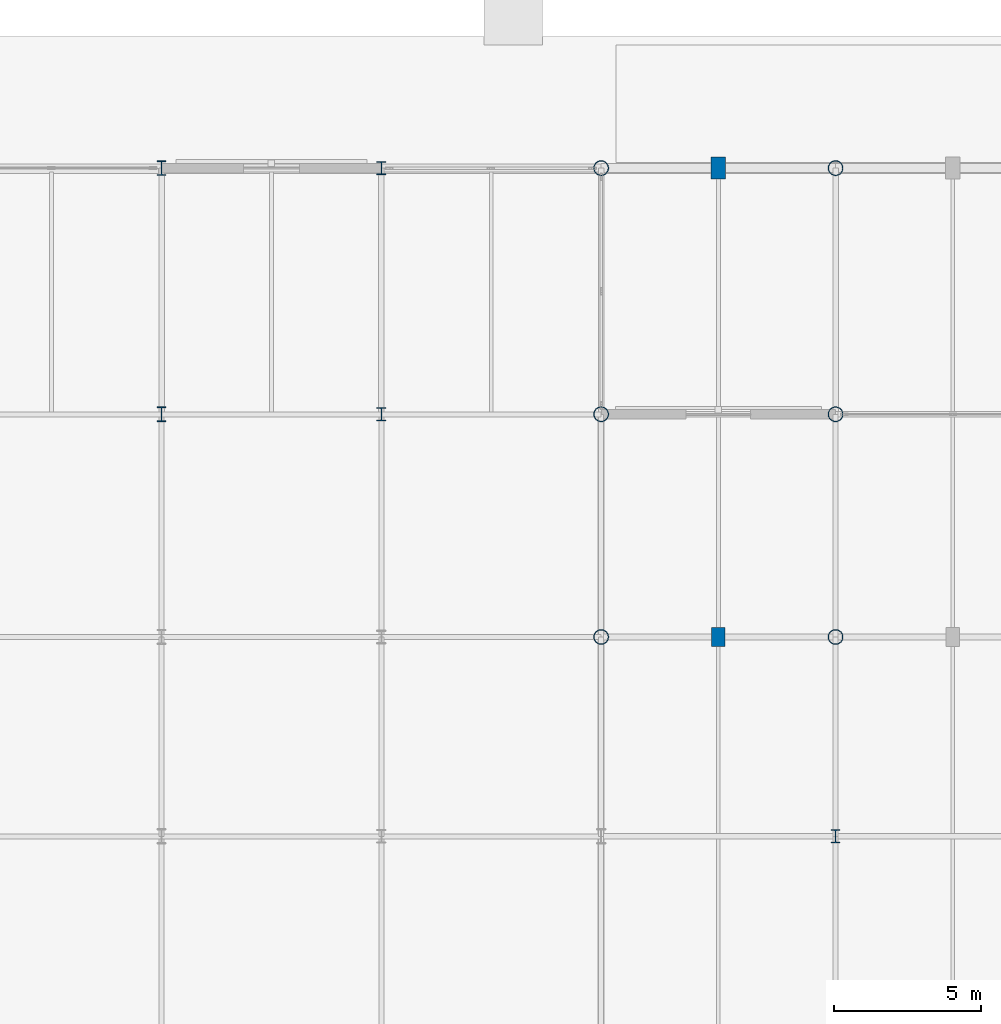
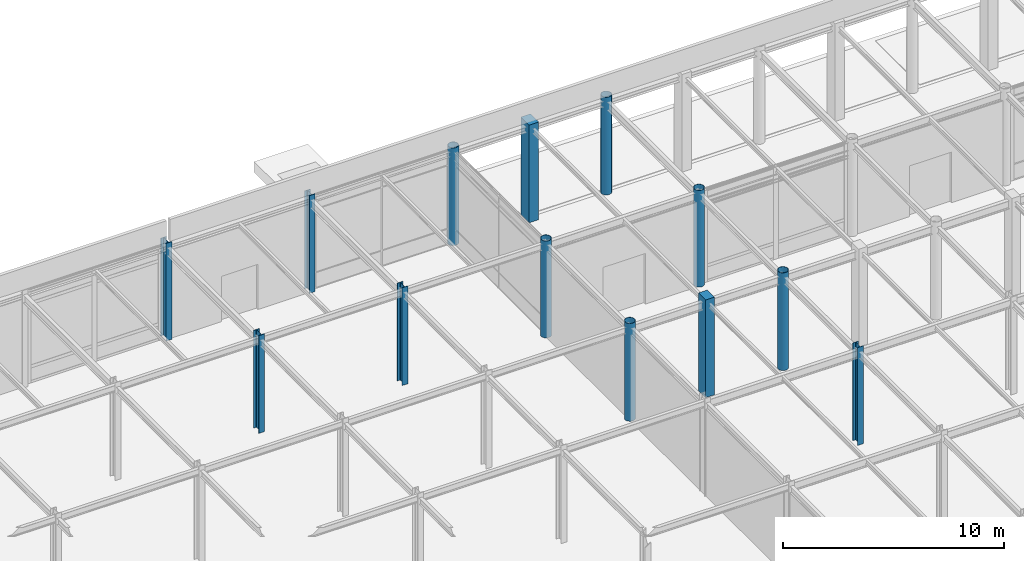
# One storey, part 12 of 89: 13 columns.
"""IFC4 building model written with IfcOpenShell, lengths in metres."""

from ifc_helpers import new_model, si_unit, direction, frame, origin, origin_2d, place, context, subcontext, project, spatial, rectangle, hollow_circle, i_section, extrude, material, material_profile, profile_set, type_object, element, save


model = new_model("IFC4")

# Units and contexts
model_context = context("Model", 3, precision=1e-05, world=origin(), true_north=direction((0.0, 1.0)))
body_context = subcontext(model_context, "Body", "Model", "MODEL_VIEW")
ifc_project = project(units=[si_unit("LENGTHUNIT", "METRE"), si_unit("AREAUNIT", "SQUARE_METRE"), si_unit("VOLUMEUNIT", "CUBIC_METRE"), si_unit("PLANEANGLEUNIT", "RADIAN"), si_unit("MASSUNIT", "GRAM", prefix="KILO")], contexts=[model_context])

# Site, building, storey
site_placement = place(None, origin())
site = spatial("IfcSite", under=ifc_project, at=site_placement, CompositionType="ELEMENT")
building_placement = place(site_placement, origin())
building = spatial("IfcBuilding", under=site, at=building_placement, Name="Shalkamar Park Central Library", CompositionType="ELEMENT")
storey_placement = place(building_placement, origin())
storey = spatial("IfcBuildingStorey", under=building, at=storey_placement, Name="L01", CompositionType="ELEMENT", Elevation=0.0)

# Columns
ifc_material_1 = material(Name="Steel S355", Category="steel")
ifc_material_profile_1 = material_profile(ifc_material_1, i_section(OverallWidth=0.300048828125, OverallDepth=0.449951171875, WebThickness=0.013916015625, FlangeThickness=0.02587890625, FilletRadius=0.027099609375, at=origin_2d()), Name="HEB 450")
ifc_profile_set_1 = profile_set([ifc_material_profile_1], Name="Steel S355")
column_type_1 = type_object("IfcColumnType", Name="Column Steel HEB450", PredefinedType="COLUMN", material=ifc_profile_set_1)
for number, where, z_axis, x_axis, name in (
    (1, (157.5, 345.60009765625, 0.0), (0.0, 0.0, 1.0), (1.0, 0.0, 0.0), "Column 06/Q (L01)"),
    (2, (157.5, 354.0, 0.0), (0.0, 0.0, 1.0), (1.0, 0.0, 0.0), "Column 06/R (L01)"),
    (3, (173.0, 331.199951171875, 0.0), (0.0, 0.0, 1.0), (1.0, 0.0, 0.0), "Column 08/N (L01)"),
):
    element("IfcColumn", number, at=place(storey_placement, frame(where, z_axis=z_axis, x_axis=x_axis)), inside=storey, type_object=column_type_1, Name=name, PredefinedType="COLUMN", context=body_context, shape_type="SweptSolid", body=[
        extrude(i_section(OverallWidth=0.300048828125, OverallDepth=0.449951171875, WebThickness=0.013916015625, FlangeThickness=0.02587890625, FilletRadius=0.027099609375, at=origin_2d()), origin(), (0.0, 0.0, 1.0), 5.39990234375),
    ])
ifc_material_profile_2 = material_profile(ifc_material_1, i_section(OverallWidth=0.300048828125, OverallDepth=0.5, WebThickness=0.014404296875, FlangeThickness=0.028076171875, FilletRadius=0.027099609375, at=origin_2d()), Name="HEB 500")
ifc_profile_set_2 = profile_set([ifc_material_profile_2], Name="Steel S355")
column_type_2 = type_object("IfcColumnType", Name="Column Steel HEB500", PredefinedType="COLUMN", material=ifc_profile_set_2)
for number, where, z_axis, x_axis, name in (
    (4, (150.0, 345.60009765625, 0.0), (0.0, 0.0, 1.0), (1.0, 0.0, 0.0), "Column 05/Q (L01)"),
    (5, (150.0, 354.0, 0.0), (0.0, 0.0, 1.0), (1.0, 0.0, 0.0), "Column 05/R (L01)"),
):
    element("IfcColumn", number, at=place(storey_placement, frame(where, z_axis=z_axis, x_axis=x_axis)), inside=storey, type_object=column_type_2, Name=name, PredefinedType="COLUMN", context=body_context, shape_type="SweptSolid", body=[
        extrude(i_section(OverallWidth=0.300048828125, OverallDepth=0.5, WebThickness=0.014404296875, FlangeThickness=0.028076171875, FilletRadius=0.027099609375, at=origin_2d()), origin(), (0.0, 0.0, 1.0), 5.39990234375),
    ])
ifc_material_profile_3 = material_profile(ifc_material_1, hollow_circle(Radius=0.25390625, WallThickness=0.01611328125, at=origin_2d()), Name="CHS 508x16")
ifc_profile_set_3 = profile_set([ifc_material_profile_3], Name="Steel S355")
column_type_3 = type_object("IfcColumnType", Name="Column Tube CHS508", PredefinedType="COLUMN", material=ifc_profile_set_3)
column_1_placement = place(storey_placement, frame((165.0, 338.0, 0.0), z_axis=(0.0, 0.0, 1.0), x_axis=(1.0, 0.0, 0.0)))
element("IfcColumn", 6, at=column_1_placement, inside=storey, type_object=column_type_3, Name="Column 07/P (L01)", PredefinedType="COLUMN", context=body_context, shape_type="SweptSolid", body=[
    extrude(hollow_circle(Radius=0.25390625, WallThickness=0.01611328125, at=origin_2d()), origin(), (0.0, 0.0, 1.0), 5.39990234375),
])
column_2_placement = place(storey_placement, frame((165.0, 345.60009765625, 0.0), z_axis=(0.0, 0.0, 1.0), x_axis=(1.0, 0.0, 0.0)))
element("IfcColumn", 7, at=column_2_placement, inside=storey, type_object=column_type_3, Name="Column 07/Q (L01)", PredefinedType="COLUMN", context=body_context, shape_type="SweptSolid", body=[
    extrude(hollow_circle(Radius=0.25390625, WallThickness=0.01611328125, at=origin_2d()), origin(), (0.0, 0.0, 1.0), 5.35009765625),
])
for number, where, z_axis, x_axis, name in (
    (8, (165.0, 354.0, 0.0), (0.0, 0.0, 1.0), (1.0, 0.0, 0.0), "Column 07/R (L01)"),
    (9, (173.0, 338.0, 0.0), (0.0, 0.0, 1.0), (1.0, 0.0, 0.0), "Column 08/P (L01)"),
):
    element("IfcColumn", number, at=place(storey_placement, frame(where, z_axis=z_axis, x_axis=x_axis)), inside=storey, type_object=column_type_3, Name=name, PredefinedType="COLUMN", context=body_context, shape_type="SweptSolid", body=[
        extrude(hollow_circle(Radius=0.25390625, WallThickness=0.01611328125, at=origin_2d()), origin(), (0.0, 0.0, 1.0), 5.39990234375),
    ])
column_3_placement = place(storey_placement, frame((173.0, 345.60009765625, 0.0), z_axis=(0.0, 0.0, 1.0), x_axis=(1.0, 0.0, 0.0)))
element("IfcColumn", 10, at=column_3_placement, inside=storey, type_object=column_type_3, Name="Column 08/Q (L01)", PredefinedType="COLUMN", context=body_context, shape_type="SweptSolid", body=[
    extrude(hollow_circle(Radius=0.25390625, WallThickness=0.01611328125, at=origin_2d()), origin(), (0.0, 0.0, 1.0), 5.35009765625),
])
column_4_placement = place(storey_placement, frame((173.0, 354.0, 0.0), z_axis=(0.0, 0.0, 1.0), x_axis=(1.0, 0.0, 0.0)))
element("IfcColumn", 11, at=column_4_placement, inside=storey, type_object=column_type_3, Name="Column 08/R (L01)", PredefinedType="COLUMN", context=body_context, shape_type="SweptSolid", body=[
    extrude(hollow_circle(Radius=0.25390625, WallThickness=0.01611328125, at=origin_2d()), origin(), (0.0, 0.0, 1.0), 5.39990234375),
])
ifc_material_2 = material(Name="Concrete C40/50", Category="concrete")
ifc_material_profile_4 = material_profile(ifc_material_2, rectangle(XDim=0.449951171875, YDim=0.64990234375, at=origin_2d()), Name="RC 450x650")
ifc_profile_set_4 = profile_set([ifc_material_profile_4], Name="Concrete C40/50")
column_type_4 = type_object("IfcColumnType", Name="Engaged Pilaster RC450x650", PredefinedType="PILASTER", material=ifc_profile_set_4)
column_5_placement = place(storey_placement, frame((169.0, 338.0, 0.0), z_axis=(0.0, 0.0, 1.0), x_axis=(1.0, 0.0, 0.0)))
element("IfcColumn", 12, at=column_5_placement, inside=storey, type_object=column_type_4, Name="Terrace Facade Pilaster P-06 (L01)", PredefinedType="PILASTER", context=body_context, shape_type="SweptSolid", body=[
    extrude(rectangle(XDim=0.449951171875, YDim=0.64990234375, at=origin_2d()), origin(), (0.0, 0.0, 1.0), 5.39990234375),
])
ifc_material_profile_5 = material_profile(ifc_material_2, rectangle(XDim=0.5, YDim=0.75, at=origin_2d()), Name="RC 500x750")
ifc_profile_set_5 = profile_set([ifc_material_profile_5], Name="Concrete C40/50")
column_type_5 = type_object("IfcColumnType", Name="Engaged Pilaster RC500x750", PredefinedType="PILASTER", material=ifc_profile_set_5)
column_6_placement = place(storey_placement, frame((169.0, 354.0, 0.0), z_axis=(0.0, 0.0, 1.0), x_axis=(1.0, 0.0, 0.0)))
element("IfcColumn", 13, at=column_6_placement, inside=storey, type_object=column_type_5, Name="Park Proscenium Pilaster R-06 (L01)", PredefinedType="PILASTER", context=body_context, shape_type="SweptSolid", body=[
    extrude(rectangle(XDim=0.5, YDim=0.75, at=origin_2d()), origin(), (0.0, 0.0, 1.0), 5.39990234375),
])

save(model, "model.ifc")
